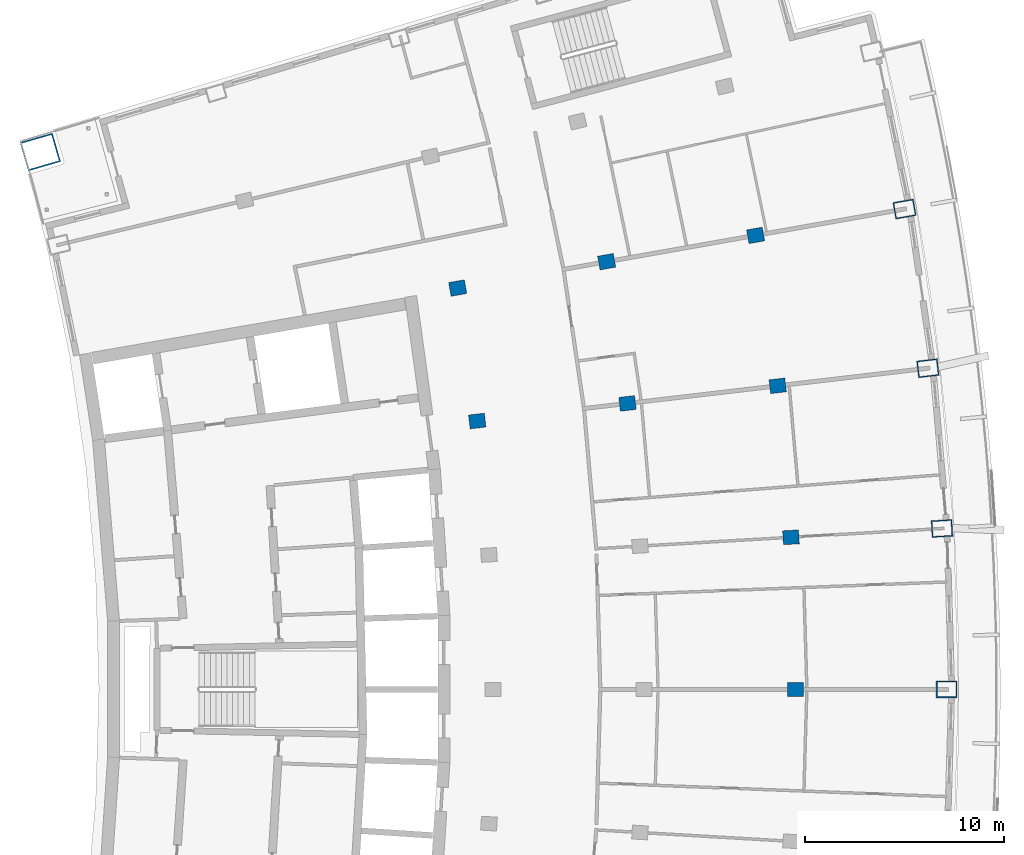
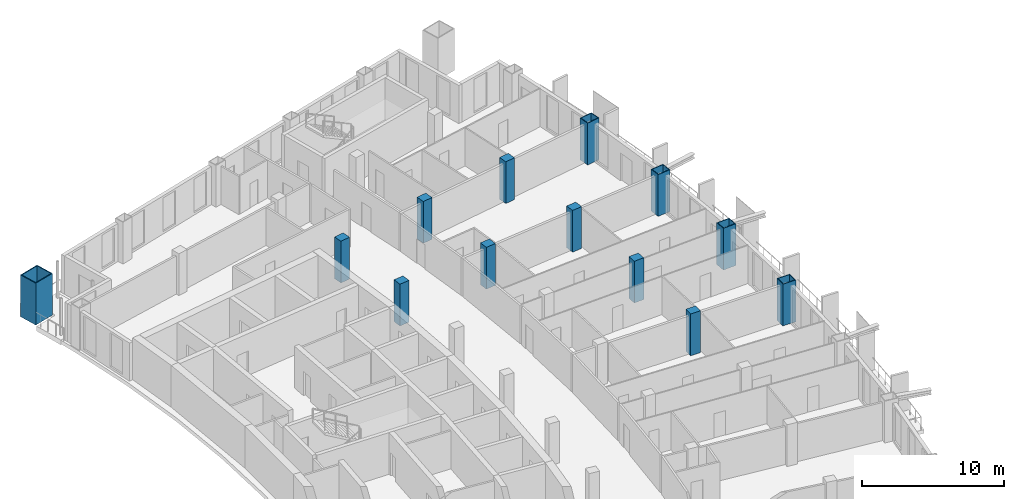
# One storey, part 6 of 19: 13 columns.
"""IFC4 building model written with IfcOpenShell, lengths in metres."""

import ifcopenshell
import ifcopenshell.guid

model = None  # the IFC model being written
_history = None  # IfcOwnerHistory: only IFC2X3 demands one
_inside = {}  # id of a spatial element -> (the spatial element, [elements in it])
_under = {}  # id of a project, library or spatial element -> (it, [spatial elements below it])
_declared = {}  # id of a project -> (the project, [libraries it declares])
_typed = {}  # id of a type object -> (the type object, [elements of that type])
_made_of = {}  # id of a material, layer set ... -> (it, [elements and type objects made of it])


def new_model(schema):
    """Start an empty IFC model of exactly this schema.

    Asked for "IFC4X3", IfcOpenShell would pick the latest addendum, in which some entities
    have other attributes; the version numbers below select the first issue.
    IFC2X3 requires an IfcOwnerHistory on every rooted entity: one is made here for all.
    """
    global model, _history
    if schema == "IFC4X3":
        model = ifcopenshell.file(schema_version=(4, 3, 0, 0))
    else:
        model = ifcopenshell.file(schema=schema)
    _inside.clear()
    _under.clear()
    _declared.clear()
    _typed.clear()
    _made_of.clear()
    _history = None
    if model.schema == "IFC2X3":
        org = make("IfcOrganization", Name="unknown")
        user = make(
            "IfcPersonAndOrganization",
            ThePerson=make("IfcPerson", FamilyName="unknown"),
            TheOrganization=org,
        )
        app = make(
            "IfcApplication",
            ApplicationDeveloper=org,
            Version="unknown",
            ApplicationFullName="unknown",
            ApplicationIdentifier="unknown",
        )
        _history = make(
            "IfcOwnerHistory",
            OwningUser=user,
            OwningApplication=app,
            ChangeAction="ADDED",
            CreationDate=0,
        )
    return model


def make(cls, **values):
    """One entity of the class cls with the attributes given. An attribute that is None is left unset."""
    return model.create_entity(
        cls, **{name: value for name, value in values.items() if value is not None}
    )


def rooted(cls, **values):
    """An entity with a GlobalId (a new one), such as an element, a storey or a relation."""
    return make(cls, GlobalId=ifcopenshell.guid.new(), OwnerHistory=_history, **values)


def si_unit(unit_type, name, prefix=None):
    """IfcSIUnit, for example si_unit("LENGTHUNIT", "METRE", prefix="MILLI")."""
    return make("IfcSIUnit", UnitType=unit_type, Prefix=prefix, Name=name)


def assignment(units):
    """IfcUnitAssignment: the units of a project."""
    return None if units is None else make("IfcUnitAssignment", Units=units)


def point(xyz):
    """IfcCartesianPoint."""
    return None if xyz is None else make("IfcCartesianPoint", Coordinates=xyz)


def direction(xyz):
    """IfcDirection."""
    return None if xyz is None else make("IfcDirection", DirectionRatios=xyz)


def frame(location, z_axis=None, x_axis=None):
    """IfcAxis2Placement3D, a coordinate frame: its origin and axes. An axis left out is left unset."""
    return make(
        "IfcAxis2Placement3D",
        Location=point(location),
        Axis=direction(z_axis),
        RefDirection=direction(x_axis),
    )


def frame_2d(location, x_axis=None):
    """IfcAxis2Placement2D, a coordinate frame in the plane: its origin and x axis."""
    return make(
        "IfcAxis2Placement2D", Location=point(location), RefDirection=direction(x_axis)
    )


def origin():
    """The frame at (0, 0, 0) with its axes left unset."""
    return frame((0.0, 0.0, 0.0))


def origin_2d():
    """The frame at (0, 0) in the plane with its x axis left unset."""
    return frame_2d((0.0, 0.0))


def place(relative_to, where):
    """IfcLocalPlacement: puts the frame where relative to a parent placement (None: the world)."""
    return make(
        "IfcLocalPlacement", PlacementRelTo=relative_to, RelativePlacement=where
    )


def context(
    kind, dimensions, precision=None, world=None, true_north=None, identifier=None
):
    """IfcGeometricRepresentationContext, for example the 3D "Model" context."""
    return make(
        "IfcGeometricRepresentationContext",
        ContextIdentifier=identifier,
        ContextType=kind,
        CoordinateSpaceDimension=dimensions,
        Precision=precision,
        WorldCoordinateSystem=world,
        TrueNorth=true_north,
    )


def subcontext(parent, identifier, kind, view, scale=None):
    """IfcGeometricRepresentationSubContext, for example "Body" below "Model"."""
    return make(
        "IfcGeometricRepresentationSubContext",
        ContextIdentifier=identifier,
        ContextType=kind,
        ParentContext=parent,
        TargetScale=scale,
        TargetView=view,
    )


def project(units=None, contexts=None):
    """IfcProject with its units and contexts."""
    return rooted(
        "IfcProject",
        Name="project",
        RepresentationContexts=contexts,
        UnitsInContext=assignment(units),
    )


def spatial(cls, under=None, at=None, **own):
    """A site, building, storey or space (cls), placed at a placement, below another one or the project."""
    s = rooted(cls, ObjectPlacement=at, **own)
    if under is not None:
        _under.setdefault(under.id(), (under, []))[1].append(s)
    return s


def profile(cls, at=None, kind="AREA", **sizes):
    """A parametric profile (cls). Its sizes go by their IFC names, for example OverallWidth=200.0."""
    return make(cls, ProfileType=kind, Position=at, **sizes)


def rectangle(**sizes):
    """IfcRectangleProfileDef."""
    return profile("IfcRectangleProfileDef", **sizes)


def hollow_rectangle(**sizes):
    """IfcRectangleHollowProfileDef."""
    return profile("IfcRectangleHollowProfileDef", **sizes)


def extrude(swept, where, along, depth):
    """IfcExtrudedAreaSolid: the profile swept, set in the frame where, extruded along a direction by depth."""
    return make(
        "IfcExtrudedAreaSolid",
        SweptArea=swept,
        Position=where,
        ExtrudedDirection=direction(along),
        Depth=depth,
    )


def shape(context_of_items, identifier, shape_type, items):
    """IfcShapeRepresentation: the items that make up one representation, for example the "Body"."""
    return make(
        "IfcShapeRepresentation",
        ContextOfItems=context_of_items,
        RepresentationIdentifier=identifier,
        RepresentationType=shape_type,
        Items=items,
    )


def material(Name=None, Category=None):
    """IfcMaterial."""
    return make("IfcMaterial", Name=Name, Category=Category)


def material_profile(
    of_material, cross_section, Name=None, Category=None, Priority=None
):
    """IfcMaterialProfile: a cross section and its material."""
    return make(
        "IfcMaterialProfile",
        Name=Name,
        Material=of_material,
        Profile=cross_section,
        Priority=Priority,
        Category=Category,
    )


def profile_set(profiles, Name=None, composite=None):
    """IfcMaterialProfileSet."""
    return make(
        "IfcMaterialProfileSet",
        Name=Name,
        MaterialProfiles=profiles,
        CompositeProfile=composite,
    )


def made_of(thing, what):
    """Note that an element or type object is made of a material, layer set ...; save() writes the relation."""
    if what is not None:
        _made_of.setdefault(what.id(), (what, []))[1].append(thing)
    return thing


def type_object(cls, material=None, **own):
    """A type object (cls), such as IfcWallType, which elements share."""
    return made_of(rooted(cls, **own), material)


def element(
    cls,
    number,
    at=None,
    inside=None,
    cuts=None,
    type_object=None,
    material=None,
    context=None,
    identifier="Body",
    shape_type=None,
    held_by="IfcProductDefinitionShape",
    body=None,
    shapes=None,
    **own,
):
    """One element of the class cls, such as IfcWall. Its Tag is "e" and its number.

    at: its placement. inside: the storey or other place that contains it. cuts: it is an
    opening in that element (IfcRelVoidsElement). A single representation is given by context,
    identifier, shape_type and body (its items); several are given by shapes. held_by: the class
    of the entity that holds the representations. save() writes the other relations.
    """
    e = rooted(cls, Tag="e%d" % number, ObjectPlacement=at, **own)
    if body is not None:
        shapes = [shape(context, identifier, shape_type, body)]
    if shapes is not None:
        e.Representation = make(held_by, Representations=shapes)
    if inside is not None:
        _inside.setdefault(inside.id(), (inside, []))[1].append(e)
    if cuts is not None:
        rooted(
            "IfcRelVoidsElement", RelatingBuildingElement=cuts, RelatedOpeningElement=e
        )
    if type_object is not None:
        _typed.setdefault(type_object.id(), (type_object, []))[1].append(e)
    return made_of(e, material)


def aggregate(whole, parts):
    """IfcRelAggregates: a whole, such as a stair, and the parts it consists of."""
    return rooted("IfcRelAggregates", RelatingObject=whole, RelatedObjects=parts)


def save(model, path):
    """Write the relations noted so far, then the file.

    IfcRelAggregates (storeys below a building ...), IfcRelContainedInSpatialStructure (elements
    in a storey), IfcRelDefinesByType, IfcRelAssociatesMaterial and IfcRelDeclares: one each for
    every whole, place, type object, material and project.
    """
    for whole, parts in _under.values():
        aggregate(whole, parts)
    for where, things in _inside.values():
        rooted(
            "IfcRelContainedInSpatialStructure",
            RelatedElements=things,
            RelatingStructure=where,
        )
    for kind, things in _typed.values():
        rooted("IfcRelDefinesByType", RelatedObjects=things, RelatingType=kind)
    for what, things in _made_of.values():
        rooted("IfcRelAssociatesMaterial", RelatedObjects=things, RelatingMaterial=what)
    for by, libraries in _declared.values():
        rooted("IfcRelDeclares", RelatingContext=by, RelatedDefinitions=libraries)
    model.write(path)


model = new_model("IFC4")

# Units and contexts
model_context = context("Model", 3, precision=1e-05, world=origin(), true_north=direction((0.0, 1.0)))
body_context = subcontext(model_context, "Body", "Model", "MODEL_VIEW")
ifc_project = project(units=[si_unit("LENGTHUNIT", "METRE"), si_unit("AREAUNIT", "SQUARE_METRE"), si_unit("VOLUMEUNIT", "CUBIC_METRE"), si_unit("PLANEANGLEUNIT", "RADIAN"), si_unit("MASSUNIT", "GRAM", prefix="KILO")], contexts=[model_context])

# Site, building, storey
site_placement = place(None, origin())
site = spatial("IfcSite", under=ifc_project, at=site_placement, CompositionType="ELEMENT")
building_placement = place(site_placement, origin())
building = spatial("IfcBuilding", under=site, at=building_placement, Name="Alderwake Tower", CompositionType="ELEMENT")
storey_placement = place(building_placement, frame((0.0, 0.0, 192.800048828125)))
storey = spatial("IfcBuildingStorey", under=building, at=storey_placement, Name="L47", CompositionType="ELEMENT", Elevation=192.800048828125)

# Columns
ifc_material_1 = material(Name="Concrete C70/85", Category="concrete")
ifc_material_profile_1 = material_profile(ifc_material_1, rectangle(XDim=0.699951171875, YDim=0.800048828125, at=origin_2d()), Name="RC 800X700")
ifc_profile_set_1 = profile_set([ifc_material_profile_1], Name="Concrete C70/85")
column_type_1 = type_object("IfcColumnType", Name="Interior column Z4", PredefinedType="COLUMN", material=ifc_profile_set_1)
for number, where, z_axis, x_axis, name in (
    (1, (51.0, 61.0, 0.0), (0.0, 0.0, 1.0), (0.0, 1.0, 0.0), "Column R07-C4"),
    (2, (50.777099609375, 68.63720703125, 0.0), (0.0, 0.0, 1.0), (-0.058299318924, 0.998299148258, 0.0), "Column R08-C4"),
    (3, (35.0126953125, 74.4794921875, 0.0), (0.0, 0.0, 1.0), (-0.116402054316, 0.993202175668, 0.0), "Column R09-C2"),
    (4, (42.56103515625, 75.364013671875, 0.0), (0.0, 0.0, 1.0), (-0.116402054316, 0.993202175668, 0.0), "Column R09-C3"),
    (5, (50.109619140625, 76.248779296875, 0.0), (0.0, 0.0, 1.0), (-0.116402054316, 0.993202175668, 0.0), "Column R09-C4"),
    (6, (34.03125, 81.16162109375, 0.0), (0.0, 0.0, 1.0), (-0.174108800747, 0.984726421654, 0.0), "Column R10-C2"),
    (7, (41.515380859375, 82.48486328125, 0.0), (0.0, 0.0, 1.0), (-0.174107082075, 0.984726725529, 0.0), "Column R10-C3"),
    (8, (48.999267578125, 83.80810546875, 0.0), (0.0, 0.0, 1.0), (-0.174108800747, 0.984726421654, 0.0), "Column R10-C4"),
):
    element("IfcColumn", number, at=place(storey_placement, frame(where, z_axis=z_axis, x_axis=x_axis)), inside=storey, type_object=column_type_1, Name=name, PredefinedType="COLUMN", context=body_context, shape_type="SweptSolid", body=[
        extrude(rectangle(XDim=0.699951171875, YDim=0.800048828125, at=origin_2d()), origin(), (0.0, 0.0, 1.0), 3.599853515625),
    ])
ifc_material_2 = material(Name="Steel ASTM A572 Grade 50 concrete filled C70/85", Category="concrete")
ifc_material_profile_2 = material_profile(ifc_material_2, hollow_rectangle(XDim=1.5, YDim=1.699951171875, WallThickness=0.074951171875, at=origin_2d()), Name="BOX 1700X1500X75")
ifc_profile_set_2 = profile_set([ifc_material_profile_2], Name="Steel ASTM A572 Grade 50 concrete filled C70/85")
column_type_2 = type_object("IfcColumnType", Name="Mega column Z4", PredefinedType="COLUMN", material=ifc_profile_set_2)
column_placement = place(storey_placement, frame((13.06298828125, 87.99755859375, 0.0), z_axis=(0.0, 0.0, 1.0), x_axis=(-0.278612301868, 0.960403657452, 0.0)))
element("IfcColumn", 9, at=column_placement, inside=storey, type_object=column_type_2, Name="Column R12-C0", PredefinedType="COLUMN", context=body_context, shape_type="SweptSolid", body=[
    extrude(hollow_rectangle(XDim=1.5, YDim=1.699951171875, WallThickness=0.074951171875, at=origin_2d()), origin(), (0.0, 0.0, 1.0), 3.599853515625),
])
ifc_material_3 = material(Name="Steel ASTM A572 Grade 50 concrete filled C70/85", Category="concrete")
ifc_material_profile_3 = material_profile(ifc_material_3, hollow_rectangle(XDim=0.85009765625, YDim=1.050048828125, WallThickness=0.054931640625, at=origin_2d()), Name="BOX 1050X850X55")
ifc_profile_set_3 = profile_set([ifc_material_profile_3], Name="Steel ASTM A572 Grade 50 concrete filled C70/85")
column_type_3 = type_object("IfcColumnType", Name="Perimeter column Z4", PredefinedType="COLUMN", material=ifc_profile_set_3)
for number, where, z_axis, x_axis, name in (
    (10, (58.60009765625, 61.0, 0.0), (0.0, 0.0, 1.0), (0.0, 1.0, 0.0), "Column R07-C5"),
    (11, (58.3642578125, 69.080322265625, 0.0), (0.0, 0.0, 1.0), (-0.058299318924, 0.998299148258, 0.0), "Column R08-C5"),
    (12, (57.65771484375, 77.13330078125, 0.0), (0.0, 0.0, 1.0), (-0.116402054316, 0.993202175668, 0.0), "Column R09-C5"),
    (13, (56.483154296875, 85.13134765625, 0.0), (0.0, 0.0, 1.0), (-0.174108800747, 0.984726421654, 0.0), "Column R10-C5"),
):
    element("IfcColumn", number, at=place(storey_placement, frame(where, z_axis=z_axis, x_axis=x_axis)), inside=storey, type_object=column_type_3, Name=name, PredefinedType="COLUMN", context=body_context, shape_type="SweptSolid", body=[
        extrude(hollow_rectangle(XDim=0.85009765625, YDim=1.050048828125, WallThickness=0.054931640625, at=origin_2d()), origin(), (0.0, 0.0, 1.0), 3.599853515625),
    ])

save(model, "model.ifc")
